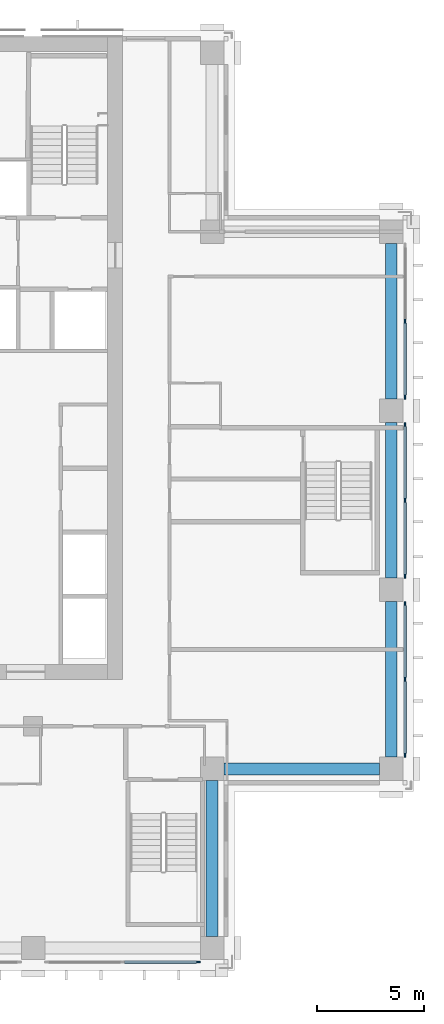
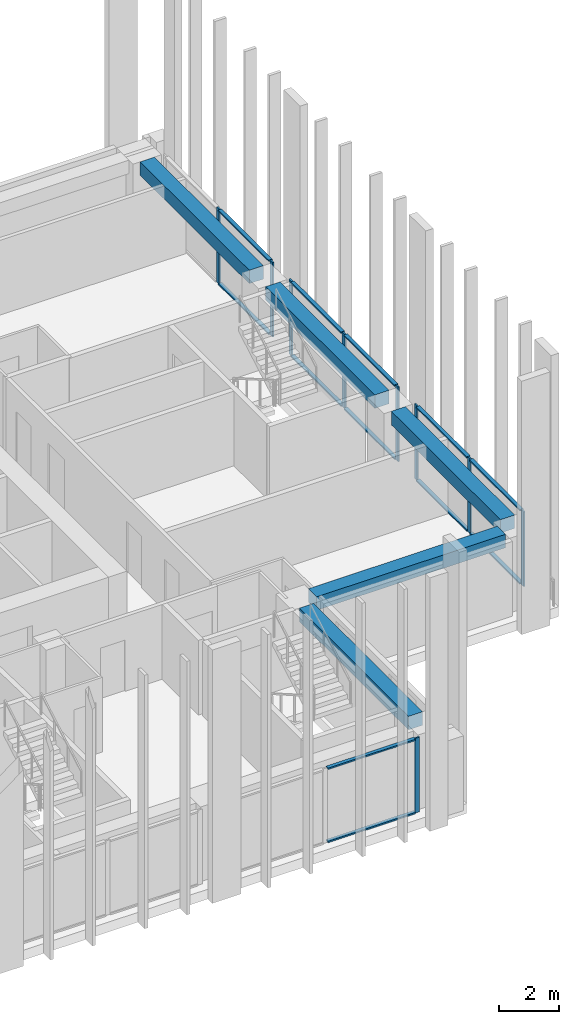
# One storey, part 5 of 16: 21 members, 5 beams, 4 elements without a shape of their own.
"""IFC4 building model written with IfcOpenShell, lengths in metres."""

from ifc_helpers import new_model, si_unit, direction, frame, origin, origin_2d, place, context, subcontext, project, spatial, rectangle, extrude, material, material_profile, profile_set, type_object, element, aggregate, save


model = new_model("IFC4")

# Units and contexts
model_context = context("Model", 3, precision=1e-05, world=origin(), true_north=direction((0.0, 1.0)))
body_context = subcontext(model_context, "Body", "Model", "MODEL_VIEW")
ifc_project = project(units=[si_unit("LENGTHUNIT", "METRE"), si_unit("AREAUNIT", "SQUARE_METRE"), si_unit("VOLUMEUNIT", "CUBIC_METRE"), si_unit("PLANEANGLEUNIT", "RADIAN"), si_unit("MASSUNIT", "GRAM", prefix="KILO")], contexts=[model_context])

# Site, building, storey
site_placement = place(None, origin())
site = spatial("IfcSite", under=ifc_project, at=site_placement, CompositionType="ELEMENT")
building_placement = place(site_placement, origin())
building = spatial("IfcBuilding", under=site, at=building_placement, Name="Vermilion Ogive Tower", CompositionType="ELEMENT")
storey_placement = place(building_placement, frame((0.0, 0.0, 133.10009765625)))
storey = spatial("IfcBuildingStorey", under=building, at=storey_placement, Name="L33", CompositionType="ELEMENT", Elevation=133.10009765625)

# Curtain wall, member
ifc_material_1 = material(Name="Low-iron laminated glazing in aluminium frame", Category="aluminium")
curtain_wall_type = type_object("IfcCurtainWallType", Name="Curtain wall CW7", PredefinedType="NOTDEFINED", material=ifc_material_1)
curtain_wall_1_placement = place(storey_placement, origin())
curtain_wall_1 = element("IfcCurtainWall", 1, at=curtain_wall_1_placement, inside=storey, type_object=curtain_wall_type, Name="Glazed skin S3", PredefinedType="NOTDEFINED")
ifc_material_2 = material(Name="Aluminium mullion", Category="aluminium")
ifc_material_profile_1 = material_profile(ifc_material_2, rectangle(XDim=0.06005859375, YDim=0.179931640625, at=origin_2d()), Name="AL 60x180")
ifc_profile_set_1 = profile_set([ifc_material_profile_1], Name="Aluminium mullion")
member_type_1 = type_object("IfcMemberType", Name="CW7 mullion 60x180", PredefinedType="MULLION", material=ifc_profile_set_1)
member_1_placement = place(storey_placement, frame((11.9599609375, -21.64990234375, 0.0), z_axis=(0.0, 0.0, 1.0), x_axis=(0.0, 1.0, 0.0)))
member_1 = element("IfcMember", 2, at=member_1_placement, type_object=member_type_1, Name="CW7-S3 mullion 3", PredefinedType="MULLION", context=body_context, shape_type="SweptSolid", body=[
    extrude(rectangle(XDim=0.06005859375, YDim=0.179931640625, at=origin_2d()), origin(), (0.0, 0.0, 1.0), 3.0498046875),
])

# Curtain wall, members
curtain_wall_2_placement = place(storey_placement, origin())
curtain_wall_2 = element("IfcCurtainWall", 3, at=curtain_wall_2_placement, inside=storey, type_object=curtain_wall_type, Name="Glazed skin E1", PredefinedType="NOTDEFINED")
member_2_placement = place(storey_placement, frame((21.64990234375, -11.9599609375, 0.0), z_axis=(0.0, 0.0, 1.0), x_axis=(-1.0, 0.0, 0.0)))
member_2 = element("IfcMember", 4, at=member_2_placement, type_object=member_type_1, Name="CW7-E1 mullion 1", PredefinedType="MULLION", context=body_context, shape_type="SweptSolid", body=[
    extrude(rectangle(XDim=0.06005859375, YDim=0.179931640625, at=origin_2d()), origin(), (0.0, 0.0, 1.0), 3.0498046875),
])
member_3_placement = place(storey_placement, frame((21.64990234375, -8.39990234375, 0.0), z_axis=(0.0, 0.0, 1.0), x_axis=(-1.0, 0.0, 0.0)))
member_3 = element("IfcMember", 5, at=member_3_placement, type_object=member_type_1, Name="CW7-E1 mullion 2", PredefinedType="MULLION", context=body_context, shape_type="SweptSolid", body=[
    extrude(rectangle(XDim=0.06005859375, YDim=0.179931640625, at=origin_2d()), origin(), (0.0, 0.0, 1.0), 3.0498046875),
])
member_4_placement = place(storey_placement, frame((21.64990234375, -4.840087890625, 0.0), z_axis=(0.0, 0.0, 1.0), x_axis=(-1.0, 0.0, 0.0)))
member_4 = element("IfcMember", 6, at=member_4_placement, type_object=member_type_1, Name="CW7-E1 mullion 3", PredefinedType="MULLION", context=body_context, shape_type="SweptSolid", body=[
    extrude(rectangle(XDim=0.06005859375, YDim=0.179931640625, at=origin_2d()), origin(), (0.0, 0.0, 1.0), 3.0498046875),
])

curtain_wall_3_placement = place(storey_placement, origin())
curtain_wall_3 = element("IfcCurtainWall", 7, at=curtain_wall_3_placement, inside=storey, type_object=curtain_wall_type, Name="Glazed skin E2", PredefinedType="NOTDEFINED")
member_5_placement = place(storey_placement, frame((21.64990234375, -3.56005859375, 0.0), z_axis=(0.0, 0.0, 1.0), x_axis=(-1.0, 0.0, 0.0)))
member_5 = element("IfcMember", 8, at=member_5_placement, type_object=member_type_1, Name="CW7-E2 mullion 1", PredefinedType="MULLION", context=body_context, shape_type="SweptSolid", body=[
    extrude(rectangle(XDim=0.06005859375, YDim=0.179931640625, at=origin_2d()), origin(), (0.0, 0.0, 1.0), 3.0498046875),
])
member_6_placement = place(storey_placement, frame((21.64990234375, 0.0, 0.0), z_axis=(0.0, 0.0, 1.0), x_axis=(-1.0, 0.0, 0.0)))
member_6 = element("IfcMember", 9, at=member_6_placement, type_object=member_type_1, Name="CW7-E2 mullion 2", PredefinedType="MULLION", context=body_context, shape_type="SweptSolid", body=[
    extrude(rectangle(XDim=0.06005859375, YDim=0.179931640625, at=origin_2d()), origin(), (0.0, 0.0, 1.0), 3.0498046875),
])
member_7_placement = place(storey_placement, frame((21.64990234375, 3.56005859375, 0.0), z_axis=(0.0, 0.0, 1.0), x_axis=(-1.0, 0.0, 0.0)))
member_7 = element("IfcMember", 10, at=member_7_placement, type_object=member_type_1, Name="CW7-E2 mullion 3", PredefinedType="MULLION", context=body_context, shape_type="SweptSolid", body=[
    extrude(rectangle(XDim=0.06005859375, YDim=0.179931640625, at=origin_2d()), origin(), (0.0, 0.0, 1.0), 3.0498046875),
])

curtain_wall_4_placement = place(storey_placement, origin())
curtain_wall_4 = element("IfcCurtainWall", 11, at=curtain_wall_4_placement, inside=storey, type_object=curtain_wall_type, Name="Glazed skin E3", PredefinedType="NOTDEFINED")
member_8_placement = place(storey_placement, frame((21.64990234375, 4.840087890625, 0.0), z_axis=(0.0, 0.0, 1.0), x_axis=(-1.0, 0.0, 0.0)))
member_8 = element("IfcMember", 12, at=member_8_placement, type_object=member_type_1, Name="CW7-E3 mullion 1", PredefinedType="MULLION", context=body_context, shape_type="SweptSolid", body=[
    extrude(rectangle(XDim=0.06005859375, YDim=0.179931640625, at=origin_2d()), origin(), (0.0, 0.0, 1.0), 3.0498046875),
])
member_9_placement = place(storey_placement, frame((21.64990234375, 8.39990234375, 0.0), z_axis=(0.0, 0.0, 1.0), x_axis=(-1.0, 0.0, 0.0)))
member_9 = element("IfcMember", 13, at=member_9_placement, type_object=member_type_1, Name="CW7-E3 mullion 2", PredefinedType="MULLION", context=body_context, shape_type="SweptSolid", body=[
    extrude(rectangle(XDim=0.06005859375, YDim=0.179931640625, at=origin_2d()), origin(), (0.0, 0.0, 1.0), 3.0498046875),
])

# Member
ifc_material_3 = material(Name="Aluminium transom", Category="aluminium")
ifc_material_profile_2 = material_profile(ifc_material_3, rectangle(XDim=0.139892578125, YDim=0.06005859375, at=origin_2d()), Name="AL 60x140")
ifc_profile_set_2 = profile_set([ifc_material_profile_2], Name="Aluminium transom")
member_type_2 = type_object("IfcMemberType", Name="CW7 transom 60x140", PredefinedType="USERDEFINED", material=ifc_profile_set_2)
member_10_placement = place(storey_placement, frame((8.489990234375, -21.64990234375, 0.02978515625), z_axis=(1.0, 0.0, 0.0), x_axis=(0.0, 1.0, 0.0)))
member_10 = element("IfcMember", 14, at=member_10_placement, type_object=member_type_2, Name="CW7-S3 transom 2.1", ObjectType="TRANSOM", PredefinedType="USERDEFINED", context=body_context, shape_type="SweptSolid", body=[
    extrude(rectangle(XDim=0.139892578125, YDim=0.06005859375, at=origin_2d()), origin(), (0.0, 0.0, 1.0), 3.380126953125),
])

member_11_placement = place(storey_placement, frame((8.489990234375, -21.64990234375, 3.02001953125), z_axis=(1.0, 0.0, 0.0), x_axis=(0.0, 1.0, 0.0)))
member_11 = element("IfcMember", 15, at=member_11_placement, type_object=member_type_2, Name="CW7-S3 transom 2.2", ObjectType="TRANSOM", PredefinedType="USERDEFINED", context=body_context, shape_type="SweptSolid", body=[
    extrude(rectangle(XDim=0.139892578125, YDim=0.06005859375, at=origin_2d()), origin(), (0.0, 0.0, 1.0), 3.380126953125),
])

aggregate(curtain_wall_1, [member_1, member_10, member_11])

member_12_placement = place(storey_placement, frame((21.64990234375, -11.8701171875, 0.02978515625), z_axis=(0.0, 1.0, 0.0), x_axis=(-1.0, 0.0, 0.0)))
member_12 = element("IfcMember", 16, at=member_12_placement, type_object=member_type_2, Name="CW7-E1 transom 1.1", ObjectType="TRANSOM", PredefinedType="USERDEFINED", context=body_context, shape_type="SweptSolid", body=[
    extrude(rectangle(XDim=0.139892578125, YDim=0.06005859375, at=origin_2d()), origin(), (0.0, 0.0, 1.0), 3.380126953125),
])

member_13_placement = place(storey_placement, frame((21.64990234375, -11.8701171875, 3.02001953125), z_axis=(0.0, 1.0, 0.0), x_axis=(-1.0, 0.0, 0.0)))
member_13 = element("IfcMember", 17, at=member_13_placement, type_object=member_type_2, Name="CW7-E1 transom 1.2", ObjectType="TRANSOM", PredefinedType="USERDEFINED", context=body_context, shape_type="SweptSolid", body=[
    extrude(rectangle(XDim=0.139892578125, YDim=0.06005859375, at=origin_2d()), origin(), (0.0, 0.0, 1.0), 3.380126953125),
])

member_14_placement = place(storey_placement, frame((21.64990234375, -8.31005859375, 0.02978515625), z_axis=(0.0, 1.0, 0.0), x_axis=(-1.0, 0.0, 0.0)))
member_14 = element("IfcMember", 18, at=member_14_placement, type_object=member_type_2, Name="CW7-E1 transom 2.1", ObjectType="TRANSOM", PredefinedType="USERDEFINED", context=body_context, shape_type="SweptSolid", body=[
    extrude(rectangle(XDim=0.139892578125, YDim=0.06005859375, at=origin_2d()), origin(), (0.0, 0.0, 1.0), 3.380126953125),
])

member_15_placement = place(storey_placement, frame((21.64990234375, -8.31005859375, 3.02001953125), z_axis=(0.0, 1.0, 0.0), x_axis=(-1.0, 0.0, 0.0)))
member_15 = element("IfcMember", 19, at=member_15_placement, type_object=member_type_2, Name="CW7-E1 transom 2.2", ObjectType="TRANSOM", PredefinedType="USERDEFINED", context=body_context, shape_type="SweptSolid", body=[
    extrude(rectangle(XDim=0.139892578125, YDim=0.06005859375, at=origin_2d()), origin(), (0.0, 0.0, 1.0), 3.380126953125),
])

aggregate(curtain_wall_2, [member_2, member_3, member_4, member_12, member_13, member_14, member_15])

member_16_placement = place(storey_placement, frame((21.64990234375, -3.469970703125, 0.02978515625), z_axis=(0.0, 1.0, 0.0), x_axis=(-1.0, 0.0, 0.0)))
member_16 = element("IfcMember", 20, at=member_16_placement, type_object=member_type_2, Name="CW7-E2 transom 1.1", ObjectType="TRANSOM", PredefinedType="USERDEFINED", context=body_context, shape_type="SweptSolid", body=[
    extrude(rectangle(XDim=0.139892578125, YDim=0.06005859375, at=origin_2d()), origin(), (0.0, 0.0, 1.0), 3.3798828125),
])

member_17_placement = place(storey_placement, frame((21.64990234375, -3.469970703125, 3.02001953125), z_axis=(0.0, 1.0, 0.0), x_axis=(-1.0, 0.0, 0.0)))
member_17 = element("IfcMember", 21, at=member_17_placement, type_object=member_type_2, Name="CW7-E2 transom 1.2", ObjectType="TRANSOM", PredefinedType="USERDEFINED", context=body_context, shape_type="SweptSolid", body=[
    extrude(rectangle(XDim=0.139892578125, YDim=0.06005859375, at=origin_2d()), origin(), (0.0, 0.0, 1.0), 3.3798828125),
])

member_18_placement = place(storey_placement, frame((21.64990234375, 0.090087890625, 0.02978515625), z_axis=(0.0, 1.0, 0.0), x_axis=(-1.0, 0.0, 0.0)))
member_18 = element("IfcMember", 22, at=member_18_placement, type_object=member_type_2, Name="CW7-E2 transom 2.1", ObjectType="TRANSOM", PredefinedType="USERDEFINED", context=body_context, shape_type="SweptSolid", body=[
    extrude(rectangle(XDim=0.139892578125, YDim=0.06005859375, at=origin_2d()), origin(), (0.0, 0.0, 1.0), 3.3798828125),
])

member_19_placement = place(storey_placement, frame((21.64990234375, 0.090087890625, 3.02001953125), z_axis=(0.0, 1.0, 0.0), x_axis=(-1.0, 0.0, 0.0)))
member_19 = element("IfcMember", 23, at=member_19_placement, type_object=member_type_2, Name="CW7-E2 transom 2.2", ObjectType="TRANSOM", PredefinedType="USERDEFINED", context=body_context, shape_type="SweptSolid", body=[
    extrude(rectangle(XDim=0.139892578125, YDim=0.06005859375, at=origin_2d()), origin(), (0.0, 0.0, 1.0), 3.3798828125),
])

aggregate(curtain_wall_3, [member_5, member_6, member_7, member_16, member_17, member_18, member_19])

member_20_placement = place(storey_placement, frame((21.64990234375, 4.929931640625, 0.02978515625), z_axis=(0.0, 1.0, 0.0), x_axis=(-1.0, 0.0, 0.0)))
member_20 = element("IfcMember", 24, at=member_20_placement, type_object=member_type_2, Name="CW7-E3 transom 1.1", ObjectType="TRANSOM", PredefinedType="USERDEFINED", context=body_context, shape_type="SweptSolid", body=[
    extrude(rectangle(XDim=0.139892578125, YDim=0.06005859375, at=origin_2d()), origin(), (0.0, 0.0, 1.0), 3.380126953125),
])

member_21_placement = place(storey_placement, frame((21.64990234375, 4.929931640625, 3.02001953125), z_axis=(0.0, 1.0, 0.0), x_axis=(-1.0, 0.0, 0.0)))
member_21 = element("IfcMember", 25, at=member_21_placement, type_object=member_type_2, Name="CW7-E3 transom 1.2", ObjectType="TRANSOM", PredefinedType="USERDEFINED", context=body_context, shape_type="SweptSolid", body=[
    extrude(rectangle(XDim=0.139892578125, YDim=0.06005859375, at=origin_2d()), origin(), (0.0, 0.0, 1.0), 3.380126953125),
])

aggregate(curtain_wall_4, [member_8, member_9, member_20, member_21])

# Beams
ifc_material_4 = material(Name="Concrete B45", Category="concrete")
ifc_material_profile_3 = material_profile(ifc_material_4, rectangle(XDim=0.550048828125, YDim=0.550048828125, at=origin_2d()), Name="550 x 550")
ifc_profile_set_3 = profile_set([ifc_material_profile_3], Name="Concrete B45")
beam_type = type_object("IfcBeamType", Name="Edge beam 550 x 550 B45", PredefinedType="BEAM", material=ifc_profile_set_3)
for number, where, z_axis, x_axis, name in (
    (26, (12.60009765625, -20.449951171875, 2.77490234375), (0.0, 1.0, 0.0), (-1.0, 0.0, 0.0), "L33-EB-4"),
    (27, (13.14990234375, -12.60009765625, 2.77490234375), (1.0, 0.0, 0.0), (0.0, 1.0, 0.0), "L33-EB-5"),
    (28, (21.0, -12.050048828125, 2.77490234375), (0.0, 1.0, 0.0), (-1.0, 0.0, 0.0), "L33-EB-6"),
):
    element("IfcBeam", number, at=place(storey_placement, frame(where, z_axis=z_axis, x_axis=x_axis)), inside=storey, type_object=beam_type, Name=name, PredefinedType="BEAM", context=body_context, shape_type="SweptSolid", body=[
        extrude(rectangle(XDim=0.550048828125, YDim=0.550048828125, at=origin_2d()), origin(), (0.0, 0.0, 1.0), 7.300048828125),
    ])
beam_1_placement = place(storey_placement, frame((21.0, -3.64990234375, 2.77490234375), z_axis=(0.0, 1.0, 0.0), x_axis=(-1.0, 0.0, 0.0)))
element("IfcBeam", 29, at=beam_1_placement, inside=storey, type_object=beam_type, Name="L33-EB-7", PredefinedType="BEAM", context=body_context, shape_type="SweptSolid", body=[
    extrude(rectangle(XDim=0.550048828125, YDim=0.550048828125, at=origin_2d()), origin(), (0.0, 0.0, 1.0), 7.2998046875),
])
beam_2_placement = place(storey_placement, frame((21.0, 4.75, 2.77490234375), z_axis=(0.0, 1.0, 0.0), x_axis=(-1.0, 0.0, 0.0)))
element("IfcBeam", 30, at=beam_2_placement, inside=storey, type_object=beam_type, Name="L33-EB-8", PredefinedType="BEAM", context=body_context, shape_type="SweptSolid", body=[
    extrude(rectangle(XDim=0.550048828125, YDim=0.550048828125, at=origin_2d()), origin(), (0.0, 0.0, 1.0), 7.300048828125),
])

save(model, "model.ifc")
